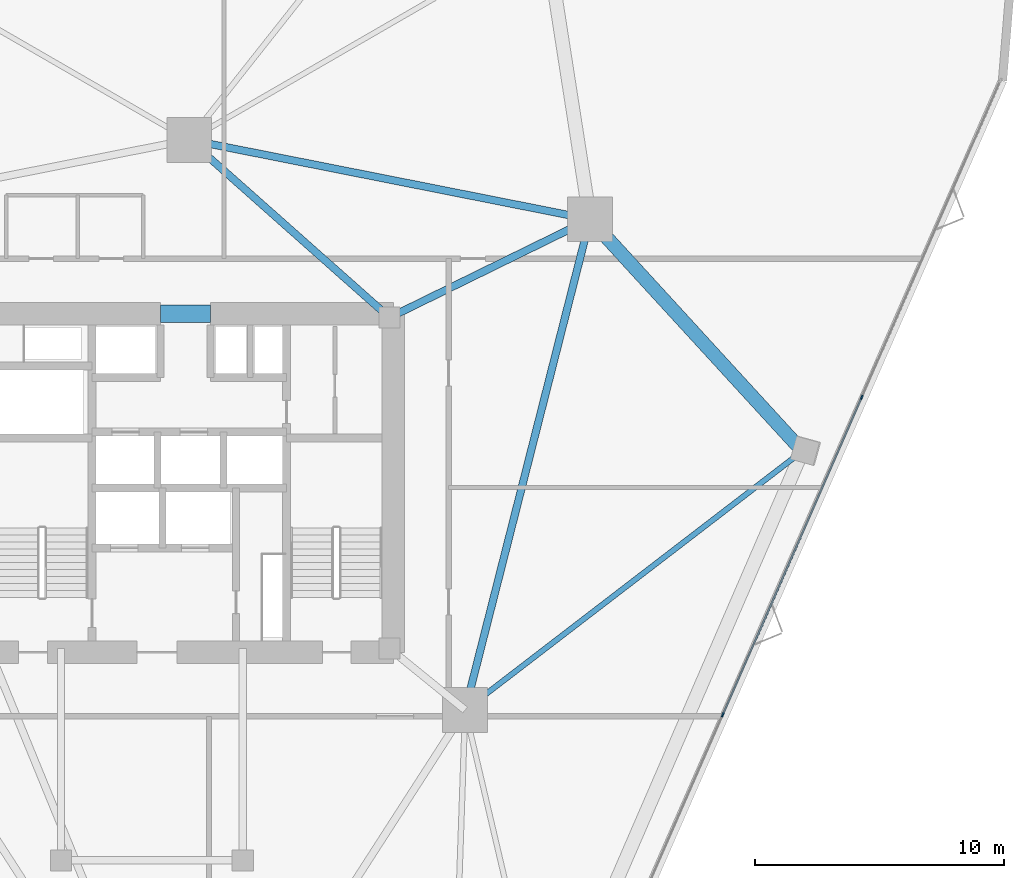
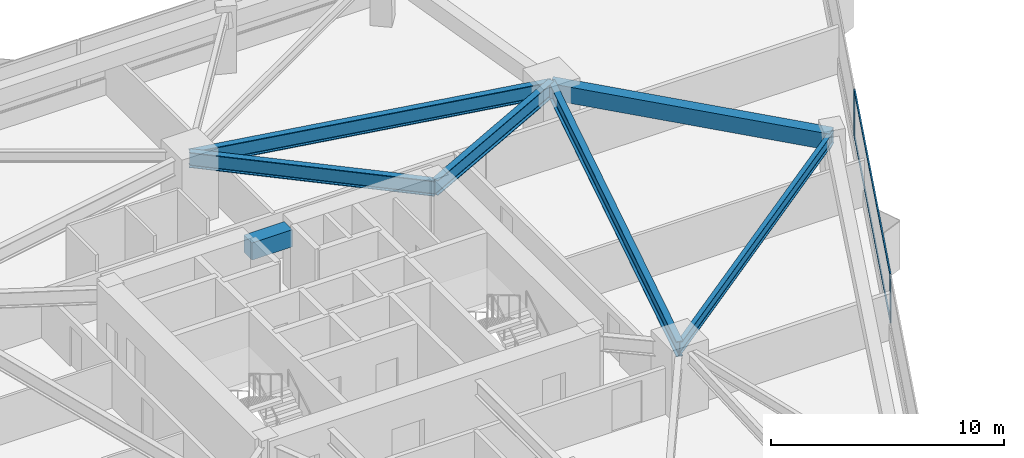
# One storey, part 10 of 20: 7 beams, 4 members, 1 element without a shape of its own.
"""IFC4 building model written with IfcOpenShell, lengths in metres."""

from ifc_helpers import new_model, si_unit, direction, frame, origin, origin_2d, place, context, subcontext, project, spatial, rectangle, i_section, extrude, material, layer, layer_set, material_profile, profile_set, type_object, element, aggregate, save


model = new_model("IFC4")

# Units and contexts
model_context = context("Model", 3, precision=1e-05, world=origin(), true_north=direction((0.0, 1.0)))
body_context = subcontext(model_context, "Body", "Model", "MODEL_VIEW")
ifc_project = project(units=[si_unit("LENGTHUNIT", "METRE"), si_unit("AREAUNIT", "SQUARE_METRE"), si_unit("VOLUMEUNIT", "CUBIC_METRE"), si_unit("PLANEANGLEUNIT", "RADIAN"), si_unit("MASSUNIT", "GRAM", prefix="KILO")], contexts=[model_context])

# Site, building, storey
site_placement = place(None, origin())
site = spatial("IfcSite", under=ifc_project, at=site_placement, CompositionType="ELEMENT")
building_placement = place(site_placement, origin())
building = spatial("IfcBuilding", under=site, at=building_placement, Name="Talyreon Biosciences Tower", CompositionType="ELEMENT")
storey_placement = place(building_placement, frame((0.0, 0.0, 62.949951171875)))
storey = spatial("IfcBuildingStorey", under=building, at=storey_placement, Name="L16", CompositionType="ELEMENT", Elevation=62.949951171875)

# Curtain wall, members
ifc_material_1 = material(Name="Thermally broken aluminium and low-E glazing", Category="aluminium")
ifc_layer = layer(ifc_material_1, 0.195068359375)
ifc_layer_set = layer_set([ifc_layer], Name="Thermally broken aluminium and low-E glazing")
curtain_wall_type = type_object("IfcCurtainWallType", Name="CurtainWall_Zone1WetLab", PredefinedType="NOTDEFINED", material=ifc_layer_set)
curtain_wall_placement = place(storey_placement, origin())
curtain_wall = element("IfcCurtainWall", 1, at=curtain_wall_placement, inside=storey, type_object=curtain_wall_type, Name="L16 Unitised Curtain Wall FCW-L16-08", PredefinedType="NOTDEFINED")
ifc_material_2 = material(Name="Anodised thermally broken aluminium", Category="aluminium")
ifc_material_profile_1 = material_profile(ifc_material_2, rectangle(XDim=0.06494140625, YDim=0.179931640625, at=origin_2d()), Name="ALUM MULLION 65x180")
ifc_profile_set_1 = profile_set([ifc_material_profile_1], Name="Anodised thermally broken aluminium")
member_type_1 = type_object("IfcMemberType", Name="CWMullion_65x180", PredefinedType="MULLION", material=ifc_profile_set_1)
member_1_placement = place(storey_placement, frame((93.022705078125, 71.4453125, 0.81005859375), z_axis=(0.0, 0.0, 1.0), x_axis=(0.916092182361, -0.400967721165, 0.0)))
member_1 = element("IfcMember", 2, at=member_1_placement, type_object=member_type_1, Name="CW2 mullion 2", PredefinedType="MULLION", context=body_context, shape_type="SweptSolid", body=[
    extrude(rectangle(XDim=0.06494140625, YDim=0.179931640625, at=origin_2d()), origin(), (0.0, 0.0, 1.0), 2.489990234375),
])
member_2_placement = place(storey_placement, frame((87.439697265625, 58.689453125, 0.81005859375), z_axis=(0.0, 0.0, 1.0), x_axis=(0.916092182361, -0.400967721165, 0.0)))
member_2 = element("IfcMember", 3, at=member_2_placement, type_object=member_type_1, Name="CW2 mullion 3", PredefinedType="MULLION", context=body_context, shape_type="SweptSolid", body=[
    extrude(rectangle(XDim=0.06494140625, YDim=0.179931640625, at=origin_2d()), origin(), (0.0, 0.0, 1.0), 2.489990234375),
])
ifc_material_profile_2 = material_profile(ifc_material_2, rectangle(XDim=0.06494140625, YDim=0.139892578125, at=origin_2d()), Name="ALUM TRANSOM 65x140")
ifc_profile_set_2 = profile_set([ifc_material_profile_2], Name="Anodised thermally broken aluminium")
member_type_2 = type_object("IfcMemberType", Name="CWTransom_65x140", PredefinedType="USERDEFINED", material=ifc_profile_set_2)
member_3_placement = place(storey_placement, frame((93.009765625, 71.41552734375, 0.842529296875), z_axis=(-0.400970381999, -0.916091017727, 0.0), x_axis=(0.916091017727, -0.400970381999, 0.0)))
member_3 = element("IfcMember", 4, at=member_3_placement, type_object=member_type_2, Name="CW2 transom 2.1", ObjectType="TRANSOM", PredefinedType="USERDEFINED", context=body_context, shape_type="SweptSolid", body=[
    extrude(rectangle(XDim=0.06494140625, YDim=0.139892578125, at=origin_2d()), origin(), (0.0, 0.0, 1.0), 13.859130859375),
])
member_4_placement = place(storey_placement, frame((93.009765625, 71.41552734375, 3.267578125), z_axis=(-0.400970381999, -0.916091017727, 0.0), x_axis=(0.916091017727, -0.400970381999, 0.0)))
member_4 = element("IfcMember", 5, at=member_4_placement, type_object=member_type_2, Name="CW2 transom 2.2", ObjectType="TRANSOM", PredefinedType="USERDEFINED", context=body_context, shape_type="SweptSolid", body=[
    extrude(rectangle(XDim=0.06494140625, YDim=0.139892578125, at=origin_2d()), origin(), (0.0, 0.0, 1.0), 13.859130859375),
])
aggregate(curtain_wall, [member_1, member_2, member_3, member_4])

# Beams
ifc_material_3 = material(Name="Concrete C60/75", Category="concrete")
ifc_material_profile_3 = material_profile(ifc_material_3, rectangle(XDim=0.699951171875, YDim=0.89990234375, at=origin_2d()), Name="RCB 700x900")
ifc_profile_set_3 = profile_set([ifc_material_profile_3], Name="Concrete C60/75")
beam_type_1 = type_object("IfcBeamType", Name="CoreCouplingLintel_700x900", PredefinedType="LINTEL", material=ifc_profile_set_3)
beam_1_placement = place(storey_placement, frame((64.85009765625, 74.800048828125, 2.85009765625), z_axis=(1.0, 0.0, 0.0), x_axis=(0.0, 1.0, 0.0)))
element("IfcBeam", 6, at=beam_1_placement, inside=storey, type_object=beam_type_1, Name="L16 Core Coupling Lintel", PredefinedType="LINTEL", context=body_context, shape_type="SweptSolid", body=[
    extrude(rectangle(XDim=0.699951171875, YDim=0.89990234375, at=origin_2d()), origin(), (0.0, 0.0, 1.0), 2.0),
])
ifc_material_4 = material(Name="Precast concrete C45/55", Category="concrete")
ifc_material_profile_4 = material_profile(ifc_material_4, rectangle(XDim=0.550048828125, YDim=0.85009765625, at=origin_2d()), Name="RCB 550x850")
ifc_profile_set_4 = profile_set([ifc_material_profile_4], Name="Precast concrete C45/55")
beam_type_2 = type_object("IfcBeamType", Name="ExpressedSpandrel_550x850", PredefinedType="SPANDREL", material=ifc_profile_set_4)
beam_2_placement = place(storey_placement, frame((90.639404296875, 69.281494140625, 2.875), z_axis=(-0.675569764735, 0.737296068737, 0.0), x_axis=(-0.737296068737, -0.675569764735, 0.0)))
element("IfcBeam", 7, at=beam_2_placement, inside=storey, type_object=beam_type_2, Name="L16 Expressed Horizontal Concrete Spandrel 04", PredefinedType="SPANDREL", context=body_context, shape_type="SweptSolid", body=[
    extrude(rectangle(XDim=0.550048828125, YDim=0.85009765625, at=origin_2d()), origin(), (0.0, 0.0, 1.0), 12.636962890625),
])
ifc_material_5 = material(Name="Steel SM355", Category="steel")
ifc_material_profile_5 = material_profile(ifc_material_5, i_section(OverallWidth=0.300048828125, OverallDepth=0.800048828125, WebThickness=0.017578125, FlangeThickness=0.032958984375, FilletRadius=0.030029296875, at=origin_2d()), Name="HE800B")
ifc_profile_set_5 = profile_set([ifc_material_profile_5], Name="Steel SM355")
beam_type_3 = type_object("IfcBeamType", Name="SteelGirder_HE800B", PredefinedType="BEAM", material=ifc_profile_set_5)
beam_3_placement = place(storey_placement, frame((77.086181640625, 58.88037109375, 2.900146484375), z_axis=(0.246537082299, 0.969133358755, 0.0), x_axis=(-0.969133358755, 0.246537082299, 0.0)))
element("IfcBeam", 8, at=beam_3_placement, inside=storey, type_object=beam_type_3, Name="L16 Mega-Ring Girder 2", PredefinedType="BEAM", context=body_context, shape_type="SweptSolid", body=[
    extrude(i_section(OverallWidth=0.300048828125, OverallDepth=0.800048828125, WebThickness=0.017578125, FlangeThickness=0.032958984375, FilletRadius=0.030029296875, at=origin_2d()), origin(), (0.0, 0.0, 1.0), 20.34619140625),
])
beam_4_placement = place(storey_placement, frame((82.102294921875, 78.5986328125, 2.900146484375), z_axis=(-0.980933730698, 0.194342522311, 0.0), x_axis=(-0.194342522311, -0.980933730698, 0.0)))
element("IfcBeam", 9, at=beam_4_placement, inside=storey, type_object=beam_type_3, Name="L16 Mega-Ring Girder 3", PredefinedType="BEAM", context=body_context, shape_type="SweptSolid", body=[
    extrude(i_section(OverallWidth=0.300048828125, OverallDepth=0.800048828125, WebThickness=0.017578125, FlangeThickness=0.032958984375, FilletRadius=0.030029296875, at=origin_2d()), origin(), (0.0, 0.0, 1.0), 16.415283203125),
])
beam_5_placement = place(storey_placement, frame((74.050048828125, 74.64990234375, 2.900146484375), z_axis=(0.897852360314, 0.440296648952, 0.0), x_axis=(-0.440296648952, 0.897852360314, 0.0)))
element("IfcBeam", 10, at=beam_5_placement, inside=storey, type_object=beam_type_3, Name="L16 Radial Primary Girder 3", PredefinedType="BEAM", context=body_context, shape_type="SweptSolid", body=[
    extrude(i_section(OverallWidth=0.300048828125, OverallDepth=0.800048828125, WebThickness=0.017578125, FlangeThickness=0.032958984375, FilletRadius=0.030029296875, at=origin_2d()), origin(), (0.0, 0.0, 1.0), 8.96826171875),
])
beam_6_placement = place(storey_placement, frame((74.050048828125, 74.64990234375, 2.900146484375), z_axis=(-0.748178733955, 0.663497235908, 0.0), x_axis=(-0.663497235908, -0.748178733955, 0.0)))
element("IfcBeam", 11, at=beam_6_placement, inside=storey, type_object=beam_type_3, Name="L16 Radial Primary Girder 4", PredefinedType="BEAM", context=body_context, shape_type="SweptSolid", body=[
    extrude(i_section(OverallWidth=0.300048828125, OverallDepth=0.800048828125, WebThickness=0.017578125, FlangeThickness=0.032958984375, FilletRadius=0.030029296875, at=origin_2d()), origin(), (0.0, 0.0, 1.0), 10.759521484375),
])
ifc_material_profile_6 = material_profile(ifc_material_5, i_section(OverallWidth=0.219970703125, OverallDepth=0.60009765625, WebThickness=0.011962890625, FlangeThickness=0.01904296875, FilletRadius=0.02392578125, at=origin_2d()), Name="IPE600")
ifc_profile_set_6 = profile_set([ifc_material_profile_6], Name="Steel SM355")
beam_type_4 = type_object("IfcBeamType", Name="SteelJoist_IPE600", PredefinedType="JOIST", material=ifc_profile_set_6)
beam_7_placement = place(storey_placement, frame((77.086181640625, 58.88037109375, 3.0), z_axis=(0.793314622927, 0.608811883138, 0.0), x_axis=(-0.608811883138, 0.793314622927, 0.0)))
element("IfcBeam", 12, at=beam_7_placement, inside=storey, type_object=beam_type_4, Name="L16 Radial Composite Floor Joist PC-SE2", PredefinedType="JOIST", context=body_context, shape_type="SweptSolid", body=[
    extrude(i_section(OverallWidth=0.219970703125, OverallDepth=0.60009765625, WebThickness=0.011962890625, FlangeThickness=0.01904296875, FilletRadius=0.02392578125, at=origin_2d()), origin(), (0.0, 0.0, 1.0), 17.084228515625),
])

save(model, "model.ifc")
